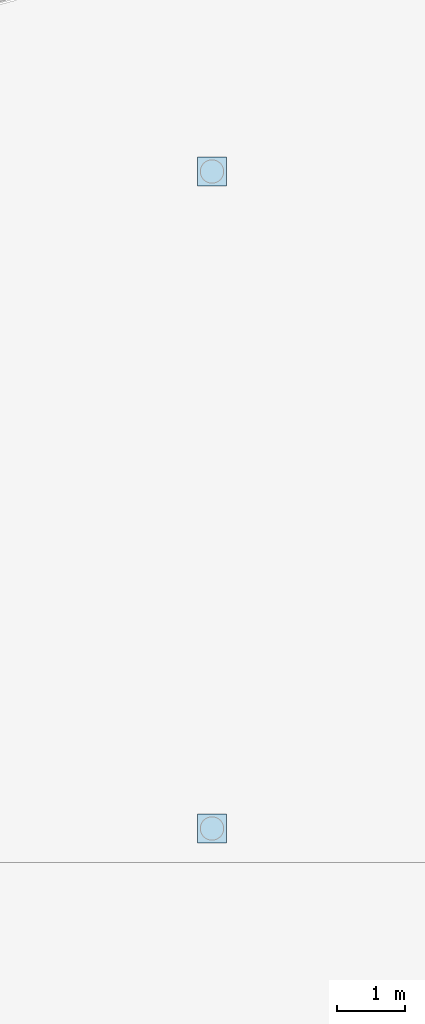
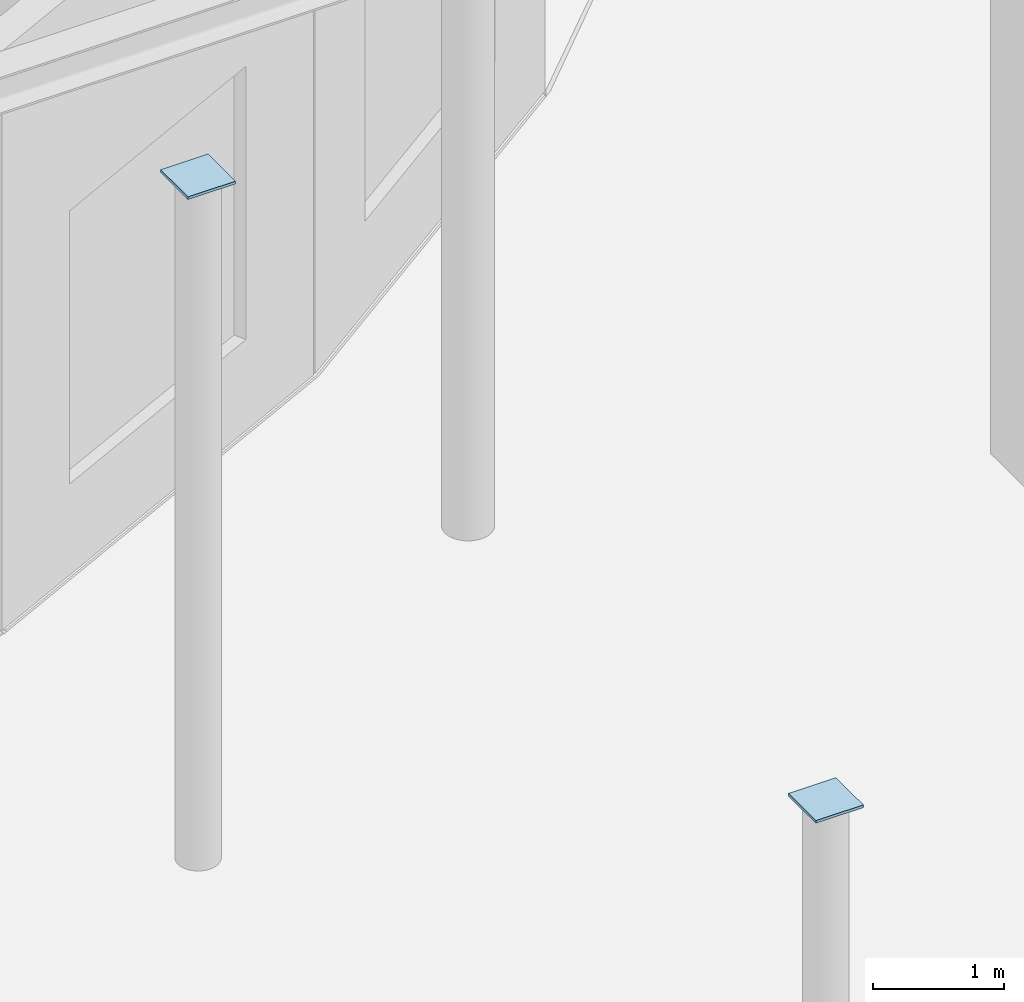
# One storey, part 85 of 118: 2 plates.
"""IFC4 building model written with IfcOpenShell, lengths in metres."""

from ifc_helpers import new_model, si_unit, direction, frame, origin, origin_2d, place, context, subcontext, project, spatial, rectangle, extrude, material, layer, layer_set, type_object, element, save


model = new_model("IFC4")

# Units and contexts
model_context = context("Model", 3, precision=1e-05, world=origin(), true_north=direction((0.0, 1.0)))
body_context = subcontext(model_context, "Body", "Model", "MODEL_VIEW")
ifc_project = project(units=[si_unit("LENGTHUNIT", "METRE"), si_unit("AREAUNIT", "SQUARE_METRE"), si_unit("VOLUMEUNIT", "CUBIC_METRE"), si_unit("PLANEANGLEUNIT", "RADIAN"), si_unit("MASSUNIT", "GRAM", prefix="KILO")], contexts=[model_context])

# Site, building, storey
site_placement = place(None, origin())
site = spatial("IfcSite", under=ifc_project, at=site_placement, CompositionType="ELEMENT")
building_placement = place(site_placement, origin())
building = spatial("IfcBuilding", under=site, at=building_placement, Name="Kolvaren Corner Interchange", CompositionType="ELEMENT")
storey_placement = place(building_placement, origin())
storey = spatial("IfcBuildingStorey", under=building, at=storey_placement, Name="L01", CompositionType="ELEMENT", Elevation=0.0)

# Plates
ifc_material = material(Name="Steel S355", Category="steel")
ifc_layer = layer(ifc_material, 0.02490234375)
ifc_layer_set = layer_set([ifc_layer], Name="Steel S355")
plate_type = type_object("IfcPlateType", Name="PL-COL-CAP25", PredefinedType="USERDEFINED", material=ifc_layer_set)
for number, where, z_axis, x_axis, name in (
    (1, (128.0, 12.5, 6.342529296875), (0.0, 0.0, 1.0), (1.0, 0.0, 0.0), "Bus Canopy Column Head Closure End Plate 01"),
    (2, (128.0, 22.10009765625, 6.342529296875), (0.0, 0.0, 1.0), (1.0, 0.0, 0.0), "Bus Canopy Column Head Closure End Plate 02"),
):
    element("IfcPlate", number, at=place(storey_placement, frame(where, z_axis=z_axis, x_axis=x_axis)), inside=storey, type_object=plate_type, Name=name, ObjectType="GUSSET PLATE", PredefinedType="USERDEFINED", context=body_context, shape_type="SweptSolid", body=[
        extrude(rectangle(XDim=0.419921875, YDim=0.419921875, at=origin_2d()), origin(), (0.0, 0.0, 1.0), 0.02490234375),
    ])

save(model, "model.ifc")
